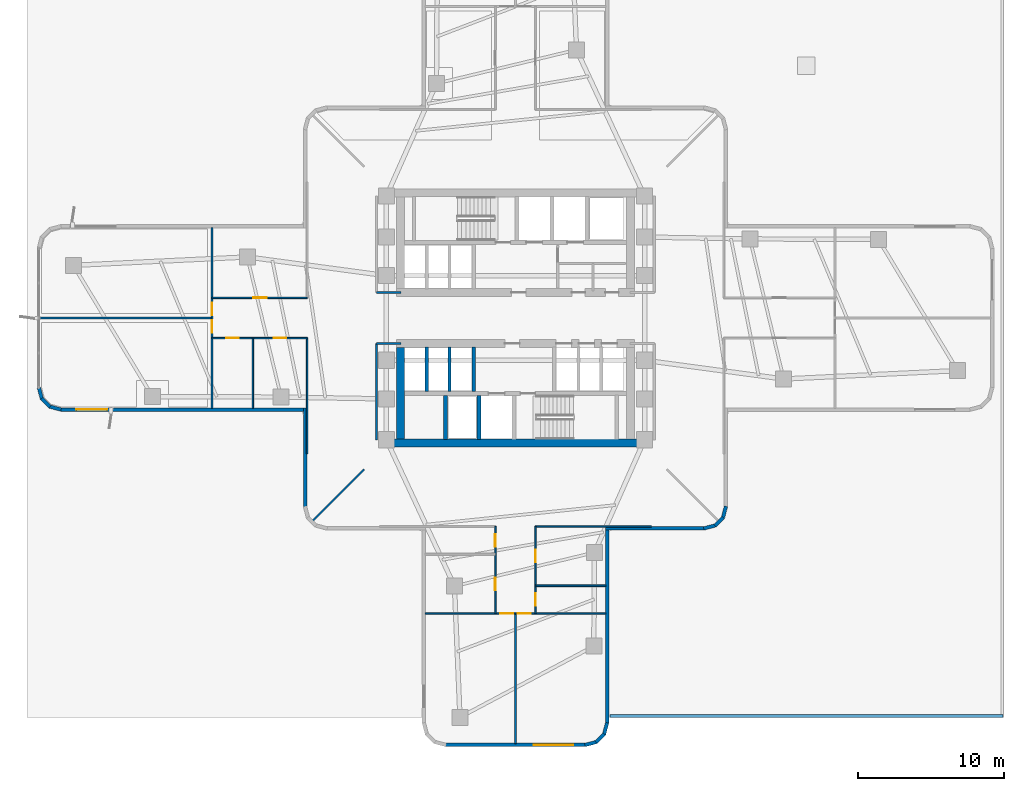
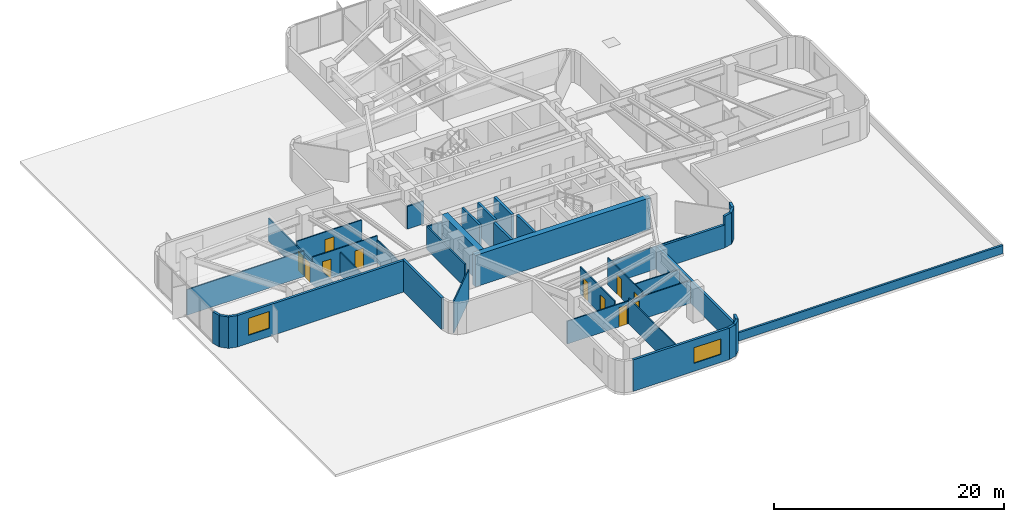
# One storey, part 8 of 14: 38 walls, 11 doors, 2 windows, 13 openings.
"""IFC4 building model written with IfcOpenShell, lengths in metres."""

from ifc_helpers import new_model, si_unit, direction, frame, frame_2d, origin, place, context, subcontext, project, spatial, rectangle, extrude, material, layer, layer_set, type_object, element, fill, save


model = new_model("IFC4")

# Units and contexts
model_context = context("Model", 3, precision=1e-05, world=origin(), true_north=direction((0.0, 1.0)))
body_context = subcontext(model_context, "Body", "Model", "MODEL_VIEW")
ifc_project = project(units=[si_unit("LENGTHUNIT", "METRE"), si_unit("AREAUNIT", "SQUARE_METRE"), si_unit("VOLUMEUNIT", "CUBIC_METRE"), si_unit("PLANEANGLEUNIT", "RADIAN"), si_unit("MASSUNIT", "GRAM", prefix="KILO")], contexts=[model_context])

# Site, building, storey
site_placement = place(None, origin())
site = spatial("IfcSite", under=ifc_project, at=site_placement, CompositionType="ELEMENT")
building_placement = place(site_placement, origin())
building = spatial("IfcBuilding", under=site, at=building_placement, Name="Solmarez Civic Tower", CompositionType="ELEMENT")
storey_placement = place(building_placement, frame((0.0, 0.0, 24.47998046875)))
storey = spatial("IfcBuildingStorey", under=building, at=storey_placement, Name="L05", CompositionType="ELEMENT", Elevation=24.47998046875)

# Walls
ifc_material_1 = material(Name="Concrete C60/75", Category="concrete")
ifc_layer_1 = layer(ifc_material_1, 0.550048828125)
ifc_layer_set_1 = layer_set([ifc_layer_1], Name="Concrete C60/75")
wall_type_1 = type_object("IfcWallType", Name="WALL-CORE-550", PredefinedType="SHEAR", material=ifc_layer_set_1)
wall_1_placement = place(storey_placement, frame((8.780029296875, -8.5849609375, 0.0), z_axis=(0.0, 0.0, 1.0), x_axis=(-1.0, 0.0, 0.0)))
element("IfcWall", 1, at=wall_1_placement, inside=storey, type_object=wall_type_1, Name="L05 Split-Core Structural Wall SCW-S-L05", PredefinedType="SHEAR", context=body_context, shape_type="SweptSolid", body=[
    extrude(rectangle(XDim=17.56005859375, YDim=0.550048828125, at=frame_2d((8.780029296875, 0.0))), origin(), (0.0, 0.0, 1.0), 3.340087890625),
])
wall_2_placement = place(storey_placement, frame((-7.89501953125, -8.31005859375, 0.0), z_axis=(0.0, 0.0, 1.0), x_axis=(0.0, 1.0, 0.0)))
element("IfcWall", 2, at=wall_2_placement, inside=storey, type_object=wall_type_1, Name="L05 Split-Core Structural Wall SCW-W-L05", PredefinedType="SHEAR", context=body_context, shape_type="SweptSolid", body=[
    extrude(rectangle(XDim=6.28515625, YDim=0.550048828125, at=frame_2d((3.142578125, 0.0))), origin(), (0.0, 0.0, 1.0), 3.340087890625),
])

# Wall, opening, window
ifc_material_2 = material(Name="Precast concrete C40/50", Category="concrete")
ifc_layer_2 = layer(ifc_material_2, 0.239990234375)
ifc_layer_set_2 = layer_set([ifc_layer_2], Name="Precast concrete C40/50")
wall_type_2 = type_object("IfcWallType", Name="WALL-EXT-240", PredefinedType="SOLIDWALL", material=ifc_layer_set_2)
wall_3_placement = place(storey_placement, frame((-14.333984375, -6.280029296875, 0.0), z_axis=(0.0, 0.0, 1.0), x_axis=(-1.0, 0.0, 0.0)))
wall_3 = element("IfcWall", 3, at=wall_3_placement, inside=storey, type_object=wall_type_2, Name="L05 Exterior Precast Wall 2", PredefinedType="SOLIDWALL", context=body_context, shape_type="SweptSolid", body=[
    extrude(rectangle(XDim=16.875, YDim=0.239990234375, at=frame_2d((8.4375, 0.0))), origin(), (0.0, 0.0, 1.0), 3.340087890625),
])
opening_1_placement = place(wall_3_placement, frame((13.675048828125, 0.0, 0.85009765625)))
opening_1 = element("IfcOpeningElement", 4, at=opening_1_placement, cuts=wall_3, Name="Opening W-07", PredefinedType="OPENING", context=body_context, shape_type="SweptSolid", body=[
    extrude(rectangle(XDim=2.10009765625, YDim=1.800048828125, at=frame_2d((1.050048828125, 0.89990234375))), frame((0.0, 0.1298828125, 0.0), z_axis=(0.0, -1.0, 0.0), x_axis=(1.0, 0.0, 0.0)), (0.0, 0.0, 1.0), 0.260009765625),
])
ifc_material_3 = material(Name="Solar Control Bronze-Tinted Insulating Glass", Category="glass")
window_type_1 = type_object("IfcWindowType", Name="WIN-2100X1800", PartitioningType="SINGLE_PANEL", PredefinedType="WINDOW", material=ifc_material_3)
window_1_placement = place(opening_1_placement, origin())
window_1 = element("IfcWindow", 5, at=window_1_placement, inside=storey, type_object=window_type_1, Name="L05 Exterior Facade Window 2", OverallHeight=1.800048828125, OverallWidth=2.10009765625, PartitioningType="SINGLE_PANEL", PredefinedType="WINDOW", context=body_context, shape_type="SweptSolid", body=[
    extrude(rectangle(XDim=2.10009765625, YDim=1.800048828125, at=frame_2d((1.050048828125, 0.89990234375))), frame((0.0, 0.030029296875, 0.0), z_axis=(0.0, -1.0, 0.0), x_axis=(1.0, 0.0, 0.0)), (0.0, 0.0, 1.0), 0.06005859375),
])
fill(opening_1, window_1)

# Walls
wall_4_placement = place(storey_placement, frame((-31.159912109375, -6.285888671875, 0.0), z_axis=(0.0, 0.0, 1.0), x_axis=(-0.966234939601, 0.25766265056, 0.0)))
element("IfcWall", 6, at=wall_4_placement, inside=storey, type_object=wall_type_2, Name="L05 Exterior Precast Wall 3", PredefinedType="SOLIDWALL", context=body_context, shape_type="SweptSolid", body=[
    extrude(rectangle(XDim=0.830078125, YDim=0.239990234375, at=frame_2d((0.4150390625, 0.0))), origin(), (0.0, 0.0, 1.0), 3.340087890625),
])
wall_5_placement = place(storey_placement, frame((-31.919921875, -6.095947265625, 0.0), z_axis=(0.0, 0.0, 1.0), x_axis=(-0.707256607812, 0.706956922808, 0.0)))
element("IfcWall", 7, at=wall_5_placement, inside=storey, type_object=wall_type_2, Name="L05 Exterior Precast Wall 4", PredefinedType="SOLIDWALL", context=body_context, shape_type="SweptSolid", body=[
    extrude(rectangle(XDim=0.814697265625, YDim=0.239990234375, at=frame_2d((0.4072265625, 0.0))), origin(), (0.0, 0.0, 1.0), 3.340087890625),
])
for number, where, z_axis, x_axis, name in (
    (8, (-32.471923828125, -5.56201171875, 0.0), (0.0, 0.0, 1.0), (-0.257937227116, 0.966161677396, 0.0), "L05 Exterior Precast Wall 5"),
    (9, (14.43603515625, -12.909912109375, 0.0), (0.0, 0.0, 1.0), (-0.257937227116, -0.966161677396, 0.0), "L05 Exterior Precast Wall 50"),
):
    element("IfcWall", number, at=place(storey_placement, frame(where, z_axis=z_axis, x_axis=x_axis)), inside=storey, type_object=wall_type_2, Name=name, PredefinedType="SOLIDWALL", context=body_context, shape_type="SweptSolid", body=[
        extrude(rectangle(XDim=0.830078125, YDim=0.239990234375, at=frame_2d((0.4150390625, 0.0))), origin(), (0.0, 0.0, 1.0), 3.340087890625),
    ])
wall_6_placement = place(storey_placement, frame((14.24609375, -13.669921875, 0.0), z_axis=(0.0, 0.0, 1.0), x_axis=(-0.707106781187, -0.707106781187, 0.0)))
element("IfcWall", 10, at=wall_6_placement, inside=storey, type_object=wall_type_2, Name="L05 Exterior Precast Wall 51", PredefinedType="SOLIDWALL", context=body_context, shape_type="SweptSolid", body=[
    extrude(rectangle(XDim=0.81494140625, YDim=0.239990234375, at=frame_2d((0.407470703125, 0.0))), origin(), (0.0, 0.0, 1.0), 3.340087890625),
])
wall_7_placement = place(storey_placement, frame((13.7119140625, -14.221923828125, 0.0), z_axis=(0.0, 0.0, 1.0), x_axis=(-0.966161677396, -0.257937227116, 0.0)))
element("IfcWall", 11, at=wall_7_placement, inside=storey, type_object=wall_type_2, Name="L05 Exterior Precast Wall 52", PredefinedType="SOLIDWALL", context=body_context, shape_type="SweptSolid", body=[
    extrude(rectangle(XDim=0.830078125, YDim=0.239990234375, at=frame_2d((0.4150390625, 0.0))), origin(), (0.0, 0.0, 1.0), 3.340087890625),
])
wall_8_placement = place(storey_placement, frame((12.958984375, -14.429931640625, 0.0), z_axis=(0.0, 0.0, 1.0), x_axis=(-1.0, 0.0, 0.0)))
element("IfcWall", 12, at=wall_8_placement, inside=storey, type_object=wall_type_2, Name="L05 Exterior Precast Wall 53", PredefinedType="SOLIDWALL", context=body_context, shape_type="SweptSolid", body=[
    extrude(rectangle(XDim=6.77490234375, YDim=0.239990234375, at=frame_2d((3.387451171875, 0.0))), origin(), (0.0, 0.0, 1.0), 2.4208984375),
])
wall_9_placement = place(storey_placement, frame((6.280029296875, -14.333984375, 0.0), z_axis=(0.0, 0.0, 1.0), x_axis=(0.0, -1.0, 0.0)))
element("IfcWall", 13, at=wall_9_placement, inside=storey, type_object=wall_type_2, Name="L05 Exterior Precast Wall 56", PredefinedType="SOLIDWALL", context=body_context, shape_type="SweptSolid", body=[
    extrude(rectangle(XDim=13.47509765625, YDim=0.239990234375, at=frame_2d((6.737548828125, 0.0))), origin(), (0.0, 0.0, 1.0), 2.4208984375),
])
wall_10_placement = place(storey_placement, frame((6.285888671875, -27.760009765625, 0.0), z_axis=(0.0, 0.0, 1.0), x_axis=(-0.25766265056, -0.966234939601, 0.0)))
element("IfcWall", 14, at=wall_10_placement, inside=storey, type_object=wall_type_2, Name="L05 Exterior Precast Wall 57", PredefinedType="SOLIDWALL", context=body_context, shape_type="SweptSolid", body=[
    extrude(rectangle(XDim=0.830078125, YDim=0.239990234375, at=frame_2d((0.4150390625, 0.0))), origin(), (0.0, 0.0, 1.0), 3.340087890625),
])
wall_11_placement = place(storey_placement, frame((6.095947265625, -28.52001953125, 0.0), z_axis=(0.0, 0.0, 1.0), x_axis=(-0.707106781187, -0.707106781187, 0.0)))
element("IfcWall", 15, at=wall_11_placement, inside=storey, type_object=wall_type_2, Name="L05 Exterior Precast Wall 58", PredefinedType="SOLIDWALL", context=body_context, shape_type="SweptSolid", body=[
    extrude(rectangle(XDim=0.814453125, YDim=0.239990234375, at=frame_2d((0.4072265625, 0.0))), origin(), (0.0, 0.0, 1.0), 3.340087890625),
])
wall_12_placement = place(storey_placement, frame((5.56201171875, -29.072021484375, 0.0), z_axis=(0.0, 0.0, 1.0), x_axis=(-0.966234939601, -0.25766265056, 0.0)))
element("IfcWall", 16, at=wall_12_placement, inside=storey, type_object=wall_type_2, Name="L05 Exterior Precast Wall 59", PredefinedType="SOLIDWALL", context=body_context, shape_type="SweptSolid", body=[
    extrude(rectangle(XDim=0.830078125, YDim=0.239990234375, at=frame_2d((0.4150390625, 0.0))), origin(), (0.0, 0.0, 1.0), 3.340087890625),
])

# Wall, opening, window
wall_13_placement = place(storey_placement, frame((4.80908203125, -29.280029296875, 0.0), z_axis=(0.0, 0.0, 1.0), x_axis=(-1.0, 0.0, 0.0)))
wall_13 = element("IfcWall", 17, at=wall_13_placement, inside=storey, type_object=wall_type_2, Name="L05 Exterior Precast Wall 60", PredefinedType="SOLIDWALL", context=body_context, shape_type="SweptSolid", body=[
    extrude(rectangle(XDim=9.6181640625, YDim=0.239990234375, at=frame_2d((4.80908203125, 0.0))), origin(), (0.0, 0.0, 1.0), 3.340087890625),
])
opening_2_placement = place(wall_13_placement, frame((0.85009765625, 0.0, 0.85009765625)))
opening_2 = element("IfcOpeningElement", 18, at=opening_2_placement, cuts=wall_13, Name="Opening W-09", PredefinedType="OPENING", context=body_context, shape_type="SweptSolid", body=[
    extrude(rectangle(XDim=2.699951171875, YDim=1.64990234375, at=frame_2d((1.35009765625, 0.824951171875))), frame((0.0, 0.1298828125, 0.0), z_axis=(0.0, -1.0, 0.0), x_axis=(1.0, 0.0, 0.0)), (0.0, 0.0, 1.0), 0.260009765625),
])
window_type_2 = type_object("IfcWindowType", Name="WIN-2700X1650", PartitioningType="SINGLE_PANEL", PredefinedType="WINDOW", material=ifc_material_3)
window_2_placement = place(opening_2_placement, origin())
window_2 = element("IfcWindow", 19, at=window_2_placement, inside=storey, type_object=window_type_2, Name="L05 Exterior Facade Window 60", OverallHeight=1.64990234375, OverallWidth=2.699951171875, PartitioningType="SINGLE_PANEL", PredefinedType="WINDOW", context=body_context, shape_type="SweptSolid", body=[
    extrude(rectangle(XDim=2.699951171875, YDim=1.64990234375, at=frame_2d((1.35009765625, 0.824951171875))), frame((0.0, 0.030029296875, 0.0), z_axis=(0.0, -1.0, 0.0), x_axis=(1.0, 0.0, 0.0)), (0.0, 0.0, 1.0), 0.06005859375),
])
fill(opening_2, window_2)

# Walls
wall_14_placement = place(storey_placement, frame((-14.429931640625, -12.958984375, 0.0), z_axis=(0.0, 0.0, 1.0), x_axis=(0.0, 1.0, 0.0)))
element("IfcWall", 20, at=wall_14_placement, inside=storey, type_object=wall_type_2, Name="L05 Exterior Precast Wall 71", PredefinedType="SOLIDWALL", context=body_context, shape_type="SweptSolid", body=[
    extrude(rectangle(XDim=6.77490234375, YDim=0.239990234375, at=frame_2d((3.387451171875, 0.0))), origin(), (0.0, 0.0, 1.0), 3.340087890625),
])
ifc_material_4 = material(Name="Gypsum Board Acoustic Steel-Stud Partition", Category="steel")
ifc_layer_3 = layer(ifc_material_4, 0.14990234375)
ifc_layer_set_3 = layer_set([ifc_layer_3], Name="Gypsum Board Acoustic Steel-Stud Partition")
wall_type_3 = type_object("IfcWallType", Name="WALL-INT-FIRE-150", PredefinedType="PARTITIONING", material=ifc_layer_set_3)
wall_15_placement = place(storey_placement, frame((-7.85009765625, 1.75, 0.0), z_axis=(0.0, 0.0, 1.0), x_axis=(-1.0, 0.0, 0.0)))
element("IfcWall", 21, at=wall_15_placement, inside=storey, type_object=wall_type_3, Name="L05 Interior Partition CHW-L05-WN3", PredefinedType="PARTITIONING", context=body_context, shape_type="SweptSolid", body=[
    extrude(rectangle(XDim=1.669921875, YDim=0.14990234375, at=frame_2d((0.8349609375, 0.0))), origin(), (0.0, 0.0, 1.0), 2.405029296875),
])
wall_16_placement = place(storey_placement, frame((-9.52001953125, -8.3798828125, 0.0), z_axis=(0.0, 0.0, 1.0), x_axis=(0.0, 1.0, 0.0)))
element("IfcWall", 22, at=wall_16_placement, inside=storey, type_object=wall_type_3, Name="L05 Interior Partition CHW-L05-WS1", PredefinedType="PARTITIONING", context=body_context, shape_type="SweptSolid", body=[
    extrude(rectangle(XDim=6.6298828125, YDim=0.14990234375, at=frame_2d((3.31494140625, 0.0))), origin(), (0.0, 0.0, 1.0), 2.4208984375),
])
wall_17_placement = place(storey_placement, frame((-7.85009765625, -1.75, 0.0), z_axis=(0.0, 0.0, 1.0), x_axis=(-1.0, 0.0, 0.0)))
element("IfcWall", 23, at=wall_17_placement, inside=storey, type_object=wall_type_3, Name="L05 Interior Partition CHW-L05-WS3", PredefinedType="PARTITIONING", context=body_context, shape_type="SweptSolid", body=[
    extrude(rectangle(XDim=1.669921875, YDim=0.14990234375, at=frame_2d((0.8349609375, 0.0))), origin(), (0.0, 0.0, 1.0), 2.405029296875),
])
ifc_layer_4 = layer(ifc_material_4, 0.110107421875)
ifc_layer_set_4 = layer_set([ifc_layer_4], Name="Gypsum Board Acoustic Steel-Stud Partition")
wall_type_4 = type_object("IfcWallType", Name="WALL-INT-PART-110", PredefinedType="PARTITIONING", material=ifc_layer_set_4)
wall_18_placement = place(storey_placement, frame((-10.3798828125, -10.3798828125, 0.0), z_axis=(0.0, 0.0, 1.0), x_axis=(-0.707106781187, -0.707106781187, 0.0)))
element("IfcWall", 24, at=wall_18_placement, inside=storey, type_object=wall_type_4, Name="L05 Interior Partition PT-L05-QDIV-3", PredefinedType="PARTITIONING", context=body_context, shape_type="SweptSolid", body=[
    extrude(rectangle(XDim=4.975341796875, YDim=0.110107421875, at=frame_2d((2.48779296875, 0.0))), origin(), (0.0, 0.0, 1.0), 3.340087890625),
])
wall_19_placement = place(storey_placement, frame((-14.2900390625, -1.3701171875, 0.0), z_axis=(0.0, 0.0, 1.0), x_axis=(0.0, -1.0, 0.0)))
element("IfcWall", 25, at=wall_19_placement, inside=storey, type_object=wall_type_4, Name="L05 Interior Partition PT-L05-W-EFL", PredefinedType="PARTITIONING", context=body_context, shape_type="SweptSolid", body=[
    extrude(rectangle(XDim=7.949951171875, YDim=0.110107421875, at=frame_2d((3.97509765625, 0.0))), origin(), (0.0, 0.0, 1.0), 2.4208984375),
])
wall_20_placement = place(storey_placement, frame((-18.010009765625, -1.39990234375, 0.0), z_axis=(0.0, 0.0, 1.0), x_axis=(0.0, -1.0, 0.0)))
element("IfcWall", 26, at=wall_20_placement, inside=storey, type_object=wall_type_4, Name="L05 Interior Partition PT-L05-W-LM", PredefinedType="PARTITIONING", context=body_context, shape_type="SweptSolid", body=[
    extrude(rectangle(XDim=4.795166015625, YDim=0.110107421875, at=frame_2d((2.3974609375, 0.0))), origin(), (0.0, 0.0, 1.0), 2.4208984375),
])

# Wall, openings, doors
wall_21_placement = place(storey_placement, frame((-20.81005859375, -1.3798828125, 0.0), z_axis=(0.0, 0.0, 1.0), x_axis=(1.0, 0.0, 0.0)))
wall_21 = element("IfcWall", 27, at=wall_21_placement, inside=storey, type_object=wall_type_4, Name="L05 Interior Partition PT-L05-W-SL", PredefinedType="PARTITIONING", context=body_context, shape_type="SweptSolid", body=[
    extrude(rectangle(XDim=6.52001953125, YDim=0.110107421875, at=frame_2d((3.260009765625, 0.0))), origin(), (0.0, 0.0, 1.0), 2.869140625),
])
opening_3_placement = place(wall_21_placement, frame((4.22998046875, 0.0, 0.0)))
opening_3 = element("IfcOpeningElement", 28, at=opening_3_placement, cuts=wall_21, Name="Opening D-14", PredefinedType="OPENING", context=body_context, shape_type="SweptSolid", body=[
    extrude(rectangle(XDim=0.860107421875, YDim=2.0400390625, at=frame_2d((0.43017578125, 1.02001953125))), frame((0.0, 0.06494140625, 0.0), z_axis=(0.0, -1.0, 0.0), x_axis=(1.0, 0.0, 0.0)), (0.0, 0.0, 1.0), 0.130126953125),
])
opening_4_placement = place(wall_21_placement, frame((0.969970703125, 0.0, 0.0)))
opening_4 = element("IfcOpeningElement", 29, at=opening_4_placement, cuts=wall_21, Name="Opening D-14", PredefinedType="OPENING", context=body_context, shape_type="SweptSolid", body=[
    extrude(rectangle(XDim=0.860107421875, YDim=2.0400390625, at=frame_2d((0.43017578125, 1.02001953125))), frame((0.0, 0.06494140625, 0.0), z_axis=(0.0, -1.0, 0.0), x_axis=(1.0, 0.0, 0.0)), (0.0, 0.0, 1.0), 0.130126953125),
])
ifc_material_5 = material(Name="Timber Storage and Pantry Door", Category="wood")
door_type_1 = type_object("IfcDoorType", Name="DOOR-INT-850", OperationType="NOTDEFINED", PredefinedType="DOOR", material=ifc_material_5)
door_1_placement = place(opening_3_placement, origin())
door_1 = element("IfcDoor", 30, at=door_1_placement, inside=storey, type_object=door_type_1, Name="L05 Policy Boardroom First West Door", OperationType="SINGLE_SWING_LEFT", OverallHeight=2.0400390625, OverallWidth=0.860107421875, PredefinedType="DOOR", context=body_context, shape_type="SweptSolid", body=[
    extrude(rectangle(XDim=0.860107421875, YDim=2.0400390625, at=frame_2d((0.43017578125, 1.02001953125))), frame((0.0, 0.02490234375, 0.0), z_axis=(0.0, -1.0, 0.0), x_axis=(1.0, 0.0, 0.0)), (0.0, 0.0, 1.0), 0.050048828125),
])
fill(opening_3, door_1)
door_2_placement = place(opening_4_placement, origin())
door_2 = element("IfcDoor", 31, at=door_2_placement, inside=storey, type_object=door_type_1, Name="L05 Staff Pantry Second West Door", OperationType="SINGLE_SWING_RIGHT", OverallHeight=2.0400390625, OverallWidth=0.860107421875, PredefinedType="DOOR", context=body_context, shape_type="SweptSolid", body=[
    extrude(rectangle(XDim=0.860107421875, YDim=2.0400390625, at=frame_2d((0.43017578125, 1.02001953125))), frame((0.0, 0.02490234375, 0.0), z_axis=(0.0, -1.0, 0.0), x_axis=(1.0, 0.0, 0.0)), (0.0, 0.0, 1.0), 0.050048828125),
])
fill(opening_4, door_2)

# Wall, opening, door
wall_22_placement = place(storey_placement, frame((-14.2900390625, 1.3798828125, 0.0), z_axis=(0.0, 0.0, 1.0), x_axis=(-1.0, 0.0, 0.0)))
wall_22 = element("IfcWall", 32, at=wall_22_placement, inside=storey, type_object=wall_type_4, Name="L05 Interior Partition PT-L05-W-SR", PredefinedType="PARTITIONING", context=body_context, shape_type="SweptSolid", body=[
    extrude(rectangle(XDim=6.52001953125, YDim=0.110107421875, at=frame_2d((3.260009765625, 0.0))), origin(), (0.0, 0.0, 1.0), 2.869140625),
])
opening_5_placement = place(wall_22_placement, frame((2.780029296875, 0.0, 0.0)))
opening_5 = element("IfcOpeningElement", 33, at=opening_5_placement, cuts=wall_22, Name="Opening D-08", PredefinedType="OPENING", context=body_context, shape_type="SweptSolid", body=[
    extrude(rectangle(XDim=0.89990234375, YDim=2.06005859375, at=frame_2d((0.449951171875, 1.030029296875))), frame((0.0, 0.06494140625, 0.0), z_axis=(0.0, -1.0, 0.0), x_axis=(1.0, 0.0, 0.0)), (0.0, 0.0, 1.0), 0.130126953125),
])
ifc_material_6 = material(Name="Solid-Core Timber Office Door", Category="wood")
door_type_2 = type_object("IfcDoorType", Name="DOOR-INT-900", OperationType="NOTDEFINED", PredefinedType="DOOR", material=ifc_material_6)
door_3_placement = place(opening_5_placement, origin())
door_3 = element("IfcDoor", 34, at=door_3_placement, inside=storey, type_object=door_type_2, Name="L05 Ministry Open Workspace Third West Door", OperationType="SINGLE_SWING_RIGHT", OverallHeight=2.06005859375, OverallWidth=0.89990234375, PredefinedType="DOOR", context=body_context, shape_type="SweptSolid", body=[
    extrude(rectangle(XDim=0.89990234375, YDim=2.06005859375, at=frame_2d((0.449951171875, 1.030029296875))), frame((0.0, 0.02490234375, 0.0), z_axis=(0.0, -1.0, 0.0), x_axis=(1.0, 0.0, 0.0)), (0.0, 0.0, 1.0), 0.050048828125),
])
fill(opening_5, door_3)

# Wall
wall_23_placement = place(storey_placement, frame((-20.8701171875, 0.0, 0.0), z_axis=(0.0, 0.0, 1.0), x_axis=(-1.0, 0.0, 0.0)))
element("IfcWall", 35, at=wall_23_placement, inside=storey, type_object=wall_type_4, Name="L05 Interior Partition PT-L05-W-TM", PredefinedType="PARTITIONING", context=body_context, shape_type="SweptSolid", body=[
    extrude(rectangle(XDim=11.724853515625, YDim=0.110107421875, at=frame_2d((5.8623046875, 0.0))), origin(), (0.0, 0.0, 1.0), 2.719970703125),
])

# Wall, openings, doors
wall_24_placement = place(storey_placement, frame((-20.81005859375, -6.195068359375, 0.0), z_axis=(0.0, 0.0, 1.0), x_axis=(0.0, 1.0, 0.0)))
wall_24 = element("IfcWall", 36, at=wall_24_placement, inside=storey, type_object=wall_type_4, Name="L05 Interior Partition PT-L05-W-END", PredefinedType="PARTITIONING", context=body_context, shape_type="SweptSolid", body=[
    extrude(rectangle(XDim=12.39013671875, YDim=0.110107421875, at=frame_2d((6.195068359375, 0.0))), origin(), (0.0, 0.0, 1.0), 2.4208984375),
])
opening_6_placement = place(wall_24_placement, frame((6.364990234375, 0.0, 0.0)))
opening_6 = element("IfcOpeningElement", 37, at=opening_6_placement, cuts=wall_24, Name="Opening D-14", PredefinedType="OPENING", context=body_context, shape_type="SweptSolid", body=[
    extrude(rectangle(XDim=0.860107421875, YDim=2.0400390625, at=frame_2d((0.43017578125, 1.02001953125))), frame((0.0, 0.06494140625, 0.0), z_axis=(0.0, -1.0, 0.0), x_axis=(1.0, 0.0, 0.0)), (0.0, 0.0, 1.0), 0.130126953125),
])
opening_7_placement = place(wall_24_placement, frame((5.1650390625, 0.0, 0.0)))
opening_7 = element("IfcOpeningElement", 38, at=opening_7_placement, cuts=wall_24, Name="Opening D-14", PredefinedType="OPENING", context=body_context, shape_type="SweptSolid", body=[
    extrude(rectangle(XDim=0.860107421875, YDim=2.0400390625, at=frame_2d((0.43017578125, 1.02001953125))), frame((0.0, 0.06494140625, 0.0), z_axis=(0.0, -1.0, 0.0), x_axis=(1.0, 0.0, 0.0)), (0.0, 0.0, 1.0), 0.130126953125),
])
door_4_placement = place(opening_6_placement, origin())
door_4 = element("IfcDoor", 39, at=door_4_placement, inside=storey, type_object=door_type_1, Name="L05 Directorate Office Sixth West Door", OperationType="SINGLE_SWING_RIGHT", OverallHeight=2.0400390625, OverallWidth=0.860107421875, PredefinedType="DOOR", context=body_context, shape_type="SweptSolid", body=[
    extrude(rectangle(XDim=0.860107421875, YDim=2.0400390625, at=frame_2d((0.43017578125, 1.02001953125))), frame((0.0, 0.02490234375, 0.0), z_axis=(0.0, -1.0, 0.0), x_axis=(1.0, 0.0, 0.0)), (0.0, 0.0, 1.0), 0.050048828125),
])
fill(opening_6, door_4)
door_5_placement = place(opening_7_placement, origin())
door_5 = element("IfcDoor", 40, at=door_5_placement, inside=storey, type_object=door_type_1, Name="L05 Ministry Open Workspace Fifth West Door", OperationType="SINGLE_SWING_LEFT", OverallHeight=2.0400390625, OverallWidth=0.860107421875, PredefinedType="DOOR", context=body_context, shape_type="SweptSolid", body=[
    extrude(rectangle(XDim=0.860107421875, YDim=2.0400390625, at=frame_2d((0.43017578125, 1.02001953125))), frame((0.0, 0.02490234375, 0.0), z_axis=(0.0, -1.0, 0.0), x_axis=(1.0, 0.0, 0.0)), (0.0, 0.0, 1.0), 0.050048828125),
])
fill(opening_7, door_5)

# Walls
wall_25_placement = place(storey_placement, frame((1.3701171875, -14.2900390625, 0.0), z_axis=(0.0, 0.0, 1.0), x_axis=(1.0, 0.0, 0.0)))
element("IfcWall", 41, at=wall_25_placement, inside=storey, type_object=wall_type_4, Name="L05 Interior Partition PT-L05-S-EFL", PredefinedType="PARTITIONING", context=body_context, shape_type="SweptSolid", body=[
    extrude(rectangle(XDim=7.949951171875, YDim=0.110107421875, at=frame_2d((3.97509765625, 0.0))), origin(), (0.0, 0.0, 1.0), 2.4208984375),
])
wall_26_placement = place(storey_placement, frame((1.39990234375, -18.360107421875, 0.0), z_axis=(0.0, 0.0, 1.0), x_axis=(1.0, 0.0, 0.0)))
element("IfcWall", 42, at=wall_26_placement, inside=storey, type_object=wall_type_4, Name="L05 Interior Partition PT-L05-S-LM", PredefinedType="PARTITIONING", context=body_context, shape_type="SweptSolid", body=[
    extrude(rectangle(XDim=4.795166015625, YDim=0.110107421875, at=frame_2d((2.3974609375, 0.0))), origin(), (0.0, 0.0, 1.0), 2.4208984375),
])

# Wall, openings, doors
wall_27_placement = place(storey_placement, frame((1.3798828125, -20.27001953125, 0.0), z_axis=(0.0, 0.0, 1.0), x_axis=(0.0, 1.0, 0.0)))
wall_27 = element("IfcWall", 43, at=wall_27_placement, inside=storey, type_object=wall_type_4, Name="L05 Interior Partition PT-L05-S-SL", PredefinedType="PARTITIONING", context=body_context, shape_type="SweptSolid", body=[
    extrude(rectangle(XDim=5.97998046875, YDim=0.110107421875, at=frame_2d((2.989990234375, 0.0))), origin(), (0.0, 0.0, 1.0), 2.869140625),
])
opening_8_placement = place(wall_27_placement, frame((3.514892578125, 0.0, 0.0)))
opening_8 = element("IfcOpeningElement", 44, at=opening_8_placement, cuts=wall_27, Name="Opening D-14", PredefinedType="OPENING", context=body_context, shape_type="SweptSolid", body=[
    extrude(rectangle(XDim=0.860107421875, YDim=2.0400390625, at=frame_2d((0.43017578125, 1.02001953125))), frame((0.0, 0.06494140625, 0.0), z_axis=(0.0, -1.0, 0.0), x_axis=(1.0, 0.0, 0.0)), (0.0, 0.0, 1.0), 0.130126953125),
])
opening_9_placement = place(wall_27_placement, frame((0.52490234375, 0.0, 0.0)))
opening_9 = element("IfcOpeningElement", 45, at=opening_9_placement, cuts=wall_27, Name="Opening D-14", PredefinedType="OPENING", context=body_context, shape_type="SweptSolid", body=[
    extrude(rectangle(XDim=0.860107421875, YDim=2.0400390625, at=frame_2d((0.43017578125, 1.02001953125))), frame((0.0, 0.06494140625, 0.0), z_axis=(0.0, -1.0, 0.0), x_axis=(1.0, 0.0, 0.0)), (0.0, 0.0, 1.0), 0.130126953125),
])
door_6_placement = place(opening_8_placement, origin())
door_6 = element("IfcDoor", 46, at=door_6_placement, inside=storey, type_object=door_type_1, Name="L05 Staff Pantry First South Door", OperationType="SINGLE_SWING_LEFT", OverallHeight=2.0400390625, OverallWidth=0.860107421875, PredefinedType="DOOR", context=body_context, shape_type="SweptSolid", body=[
    extrude(rectangle(XDim=0.860107421875, YDim=2.0400390625, at=frame_2d((0.43017578125, 1.02001953125))), frame((0.0, 0.02490234375, 0.0), z_axis=(0.0, -1.0, 0.0), x_axis=(1.0, 0.0, 0.0)), (0.0, 0.0, 1.0), 0.050048828125),
])
fill(opening_8, door_6)
door_7_placement = place(opening_9_placement, origin())
door_7 = element("IfcDoor", 47, at=door_7_placement, inside=storey, type_object=door_type_1, Name="L05 Ministry Open Workspace Second South Door", OperationType="SINGLE_SWING_RIGHT", OverallHeight=2.0400390625, OverallWidth=0.860107421875, PredefinedType="DOOR", context=body_context, shape_type="SweptSolid", body=[
    extrude(rectangle(XDim=0.860107421875, YDim=2.0400390625, at=frame_2d((0.43017578125, 1.02001953125))), frame((0.0, 0.02490234375, 0.0), z_axis=(0.0, -1.0, 0.0), x_axis=(1.0, 0.0, 0.0)), (0.0, 0.0, 1.0), 0.050048828125),
])
fill(opening_9, door_7)

wall_28_placement = place(storey_placement, frame((-1.3798828125, -14.2900390625, 0.0), z_axis=(0.0, 0.0, 1.0), x_axis=(0.0, -1.0, 0.0)))
wall_28 = element("IfcWall", 48, at=wall_28_placement, inside=storey, type_object=wall_type_4, Name="L05 Interior Partition PT-L05-S-SR", PredefinedType="PARTITIONING", context=body_context, shape_type="SweptSolid", body=[
    extrude(rectangle(XDim=5.97998046875, YDim=0.110107421875, at=frame_2d((2.989990234375, 0.0))), origin(), (0.0, 0.0, 1.0), 2.869140625),
])
opening_10_placement = place(wall_28_placement, frame((0.52490234375, 0.0, 0.0)))
opening_10 = element("IfcOpeningElement", 49, at=opening_10_placement, cuts=wall_28, Name="Opening D-14", PredefinedType="OPENING", context=body_context, shape_type="SweptSolid", body=[
    extrude(rectangle(XDim=0.860107421875, YDim=2.0400390625, at=frame_2d((0.43017578125, 1.02001953125))), frame((0.0, 0.06494140625, 0.0), z_axis=(0.0, -1.0, 0.0), x_axis=(1.0, 0.0, 0.0)), (0.0, 0.0, 1.0), 0.130126953125),
])
opening_11_placement = place(wall_28_placement, frame((3.514892578125, 0.0, 0.0)))
opening_11 = element("IfcOpeningElement", 50, at=opening_11_placement, cuts=wall_28, Name="Opening D-14", PredefinedType="OPENING", context=body_context, shape_type="SweptSolid", body=[
    extrude(rectangle(XDim=0.860107421875, YDim=2.0400390625, at=frame_2d((0.43017578125, 1.02001953125))), frame((0.0, 0.06494140625, 0.0), z_axis=(0.0, -1.0, 0.0), x_axis=(1.0, 0.0, 0.0)), (0.0, 0.0, 1.0), 0.130126953125),
])
door_8_placement = place(opening_10_placement, origin())
door_8 = element("IfcDoor", 51, at=door_8_placement, inside=storey, type_object=door_type_1, Name="L05 Directorate Office Third South Door", OperationType="SINGLE_SWING_RIGHT", OverallHeight=2.0400390625, OverallWidth=0.860107421875, PredefinedType="DOOR", context=body_context, shape_type="SweptSolid", body=[
    extrude(rectangle(XDim=0.860107421875, YDim=2.0400390625, at=frame_2d((0.43017578125, 1.02001953125))), frame((0.0, 0.02490234375, 0.0), z_axis=(0.0, -1.0, 0.0), x_axis=(1.0, 0.0, 0.0)), (0.0, 0.0, 1.0), 0.050048828125),
])
fill(opening_10, door_8)
door_9_placement = place(opening_11_placement, origin())
door_9 = element("IfcDoor", 52, at=door_9_placement, inside=storey, type_object=door_type_1, Name="L05 Policy Boardroom Fourth South Door", OperationType="SINGLE_SWING_LEFT", OverallHeight=2.0400390625, OverallWidth=0.860107421875, PredefinedType="DOOR", context=body_context, shape_type="SweptSolid", body=[
    extrude(rectangle(XDim=0.860107421875, YDim=2.0400390625, at=frame_2d((0.43017578125, 1.02001953125))), frame((0.0, 0.02490234375, 0.0), z_axis=(0.0, -1.0, 0.0), x_axis=(1.0, 0.0, 0.0)), (0.0, 0.0, 1.0), 0.050048828125),
])
fill(opening_11, door_9)

# Wall
wall_29_placement = place(storey_placement, frame((0.0, -20.330078125, 0.0), z_axis=(0.0, 0.0, 1.0), x_axis=(0.0, -1.0, 0.0)))
element("IfcWall", 53, at=wall_29_placement, inside=storey, type_object=wall_type_4, Name="L05 Interior Partition PT-L05-S-TM", PredefinedType="PARTITIONING", context=body_context, shape_type="SweptSolid", body=[
    extrude(rectangle(XDim=8.864990234375, YDim=0.110107421875, at=frame_2d((4.4326171875, 0.0))), origin(), (0.0, 0.0, 1.0), 2.719970703125),
])

# Wall, openings, doors
wall_30_placement = place(storey_placement, frame((6.195068359375, -20.27001953125, 0.0), z_axis=(0.0, 0.0, 1.0), x_axis=(-1.0, 0.0, 0.0)))
wall_30 = element("IfcWall", 54, at=wall_30_placement, inside=storey, type_object=wall_type_4, Name="L05 Interior Partition PT-L05-S-END", PredefinedType="PARTITIONING", context=body_context, shape_type="SweptSolid", body=[
    extrude(rectangle(XDim=12.39013671875, YDim=0.110107421875, at=frame_2d((6.195068359375, 0.0))), origin(), (0.0, 0.0, 1.0), 2.4208984375),
])
opening_12_placement = place(wall_30_placement, frame((6.364990234375, 0.0, 0.0)))
opening_12 = element("IfcOpeningElement", 55, at=opening_12_placement, cuts=wall_30, Name="Opening D-14", PredefinedType="OPENING", context=body_context, shape_type="SweptSolid", body=[
    extrude(rectangle(XDim=0.860107421875, YDim=2.0400390625, at=frame_2d((0.43017578125, 1.02001953125))), frame((0.0, 0.06494140625, 0.0), z_axis=(0.0, -1.0, 0.0), x_axis=(1.0, 0.0, 0.0)), (0.0, 0.0, 1.0), 0.130126953125),
])
opening_13_placement = place(wall_30_placement, frame((5.1650390625, 0.0, 0.0)))
opening_13 = element("IfcOpeningElement", 56, at=opening_13_placement, cuts=wall_30, Name="Opening D-14", PredefinedType="OPENING", context=body_context, shape_type="SweptSolid", body=[
    extrude(rectangle(XDim=0.860107421875, YDim=2.0400390625, at=frame_2d((0.43017578125, 1.02001953125))), frame((0.0, 0.06494140625, 0.0), z_axis=(0.0, -1.0, 0.0), x_axis=(1.0, 0.0, 0.0)), (0.0, 0.0, 1.0), 0.130126953125),
])
door_10_placement = place(opening_12_placement, origin())
door_10 = element("IfcDoor", 57, at=door_10_placement, inside=storey, type_object=door_type_1, Name="L05 Policy Boardroom Sixth South Door", OperationType="SINGLE_SWING_RIGHT", OverallHeight=2.0400390625, OverallWidth=0.860107421875, PredefinedType="DOOR", context=body_context, shape_type="SweptSolid", body=[
    extrude(rectangle(XDim=0.860107421875, YDim=2.0400390625, at=frame_2d((0.43017578125, 1.02001953125))), frame((0.0, 0.02490234375, 0.0), z_axis=(0.0, -1.0, 0.0), x_axis=(1.0, 0.0, 0.0)), (0.0, 0.0, 1.0), 0.050048828125),
])
fill(opening_12, door_10)
door_11_placement = place(opening_13_placement, origin())
door_11 = element("IfcDoor", 58, at=door_11_placement, inside=storey, type_object=door_type_1, Name="L05 Directorate Office Fifth South Door", OperationType="SINGLE_SWING_LEFT", OverallHeight=2.0400390625, OverallWidth=0.860107421875, PredefinedType="DOOR", context=body_context, shape_type="SweptSolid", body=[
    extrude(rectangle(XDim=0.860107421875, YDim=2.0400390625, at=frame_2d((0.43017578125, 1.02001953125))), frame((0.0, 0.02490234375, 0.0), z_axis=(0.0, -1.0, 0.0), x_axis=(1.0, 0.0, 0.0)), (0.0, 0.0, 1.0), 0.050048828125),
])
fill(opening_13, door_11)

# Walls
ifc_layer_5 = layer(ifc_material_2, 0.199951171875)
ifc_layer_set_5 = layer_set([ifc_layer_5], Name="Precast concrete C40/50")
wall_type_5 = type_object("IfcWallType", Name="WALL-PARAPET-200", PredefinedType="PARAPET", material=ifc_layer_set_5)
wall_31_placement = place(storey_placement, frame((6.48193359375, -27.280029296875, 0.0), z_axis=(0.0, 0.0, 1.0), x_axis=(1.0, 0.0, 0.0)))
element("IfcWall", 59, at=wall_31_placement, inside=storey, type_object=wall_type_5, Name="L05 Roof Perimeter Parapet 30", PredefinedType="PARAPET", context=body_context, shape_type="SweptSolid", body=[
    extrude(rectangle(XDim=26.93798828125, YDim=0.199951171875, at=frame_2d((13.468994140625, 0.0))), origin(), (0.0, 0.0, 1.0), 0.880126953125),
])
ifc_material_7 = material(Name="Concrete C50/60", Category="concrete")
ifc_layer_6 = layer(ifc_material_7, 0.300048828125)
ifc_layer_set_6 = layer_set([ifc_layer_6], Name="Concrete C50/60")
wall_type_6 = type_object("IfcWallType", Name="WALL-STR-300", PredefinedType="SOLIDWALL", material=ifc_layer_set_6)
for number, where, z_axis, x_axis, name in (
    (60, (-2.5, -8.340087890625, 0.0), (0.0, 0.0, 1.0), (0.0, 1.0, 0.0), "L05 Split-Core Structural Wall SHW-S2-L05"),
    (61, (-4.800048828125, -8.340087890625, 0.0), (0.0, 0.0, 1.0), (0.0, 1.0, 0.0), "L05 Split-Core Structural Wall SHW-S3-L05"),
):
    element("IfcWall", number, at=place(storey_placement, frame(where, z_axis=z_axis, x_axis=x_axis)), inside=storey, type_object=wall_type_6, Name=name, PredefinedType="SOLIDWALL", context=body_context, shape_type="SweptSolid", body=[
        extrude(rectangle(XDim=3.0400390625, YDim=0.25, at=frame_2d((1.52001953125, 0.0))), origin(), (0.0, 0.0, 1.0), 3.340087890625),
    ])
wall_32_placement = place(storey_placement, frame((-2.85009765625, -5.050048828125, 0.0), z_axis=(0.0, 0.0, 1.0), x_axis=(0.0, 1.0, 0.0)))
element("IfcWall", 62, at=wall_32_placement, inside=storey, type_object=wall_type_6, Name="L05 Split-Core Structural Wall SHW-SL1-L05", PredefinedType="SOLIDWALL", context=body_context, shape_type="SweptSolid", body=[
    extrude(rectangle(XDim=3.070068359375, YDim=0.25, at=frame_2d((1.53515625, 0.0))), origin(), (0.0, 0.0, 1.0), 3.340087890625),
])
for number, where, z_axis, x_axis, name in (
    (63, (-6.080078125, -5.050048828125, 0.0), (0.0, 0.0, 1.0), (0.0, 1.0, 0.0), "L05 Split-Core Structural Wall SHW-PLM-L05-1"),
    (64, (-4.52001953125, -5.050048828125, 0.0), (0.0, 0.0, 1.0), (0.0, 1.0, 0.0), "L05 Split-Core Structural Wall SHW-PLM-L05-2"),
):
    element("IfcWall", number, at=place(storey_placement, frame(where, z_axis=z_axis, x_axis=x_axis)), inside=storey, type_object=wall_type_6, Name=name, PredefinedType="SOLIDWALL", context=body_context, shape_type="SweptSolid", body=[
        extrude(rectangle(XDim=3.070068359375, YDim=0.219970703125, at=frame_2d((1.53515625, 0.0))), origin(), (0.0, 0.0, 1.0), 3.340087890625),
    ])

save(model, "model.ifc")
